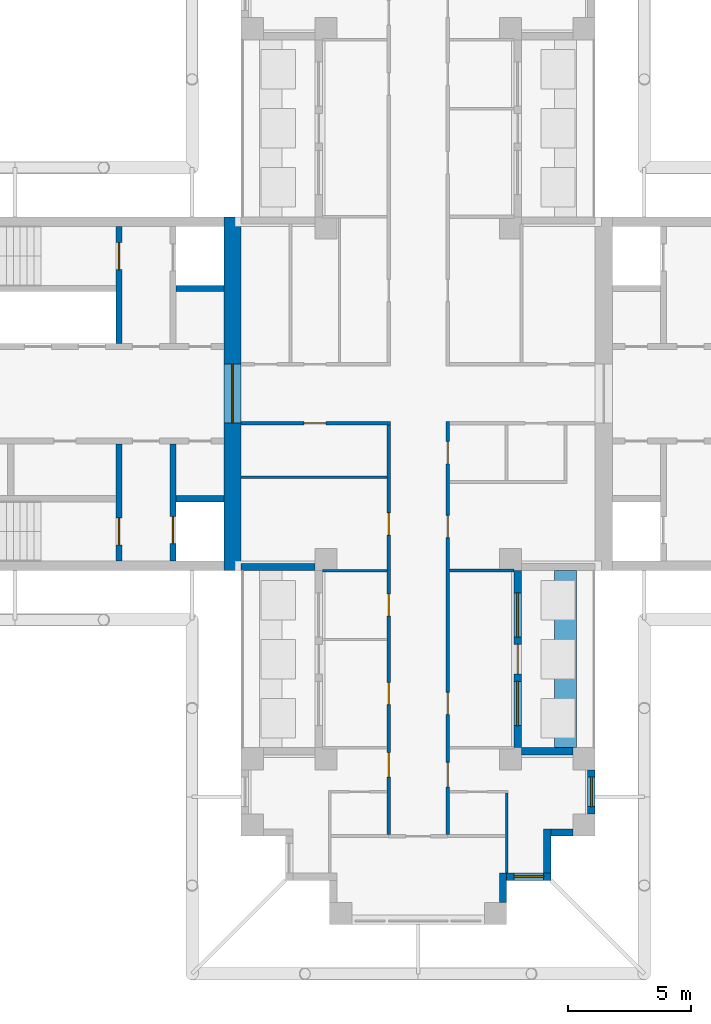
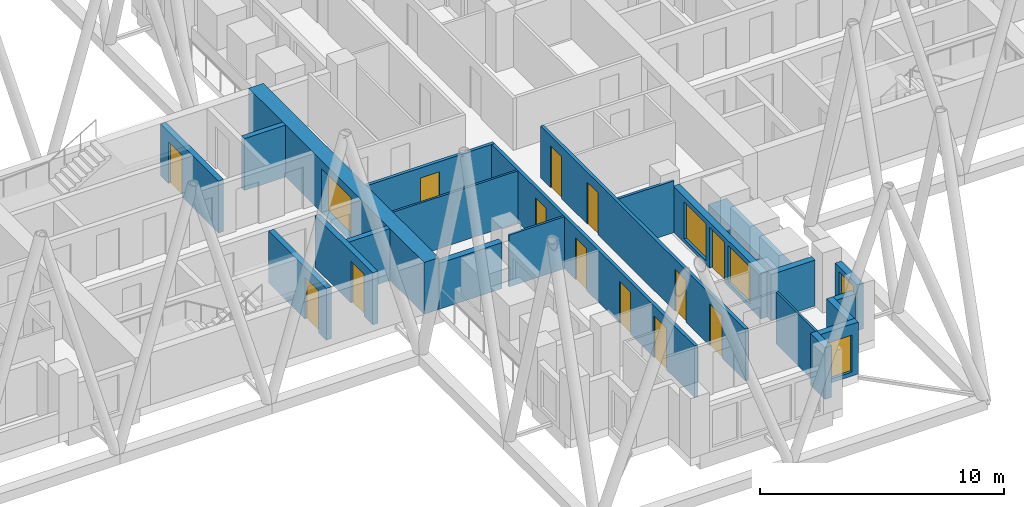
# One storey, part 5 of 11: 22 walls, 14 doors, 4 windows, 18 openings.
"""IFC4 building model written with IfcOpenShell, lengths in metres."""

from ifc_helpers import new_model, si_unit, direction, frame, frame_2d, origin, place, context, subcontext, project, spatial, rectangle, extrude, material, layer, layer_set, type_object, element, fill, save


model = new_model("IFC4")

# Units and contexts
model_context = context("Model", 3, precision=1e-05, world=origin(), true_north=direction((0.0, 1.0)))
body_context = subcontext(model_context, "Body", "Model", "MODEL_VIEW")
ifc_project = project(units=[si_unit("LENGTHUNIT", "METRE"), si_unit("AREAUNIT", "SQUARE_METRE"), si_unit("VOLUMEUNIT", "CUBIC_METRE"), si_unit("PLANEANGLEUNIT", "RADIAN"), si_unit("MASSUNIT", "GRAM", prefix="KILO")], contexts=[model_context])

# Site, building, storey
site_placement = place(None, origin())
site = spatial("IfcSite", under=ifc_project, at=site_placement, CompositionType="ELEMENT")
building_placement = place(site_placement, origin())
building = spatial("IfcBuilding", under=site, at=building_placement, Name="Fustian Cross Tower", CompositionType="ELEMENT")
storey_placement = place(building_placement, frame((0.0, 0.0, 198.89990234375)))
storey = spatial("IfcBuildingStorey", under=building, at=storey_placement, Name="L62", CompositionType="ELEMENT", Elevation=198.89990234375)

# Wall, opening, door
ifc_material_1 = material(Name="Plasterboard on steel stud", Category="steel")
ifc_layer_1 = layer(ifc_material_1, 0.14990234375)
ifc_layer_set_1 = layer_set([ifc_layer_1], Name="Plasterboard on steel stud")
wall_type_1 = type_object("IfcWallType", Name="COMPARTMENT WALL 150 EI 60", PredefinedType="PARTITIONING", material=ifc_layer_set_1)
wall_1_placement = place(storey_placement, frame((-7.199951171875, -1.199951171875, 0.0), z_axis=(0.0, 0.0, 1.0), x_axis=(1.0, 0.0, 0.0)))
wall_1 = element("IfcWall", 1, at=wall_1_placement, inside=storey, type_object=wall_type_1, Name="Partition 11", PredefinedType="PARTITIONING", context=body_context, shape_type="SweptSolid", body=[
    extrude(rectangle(XDim=6.074951171875, YDim=0.14990234375, at=frame_2d((3.03759765625, 0.0))), origin(), (0.0, 0.0, 1.0), 2.60009765625),
])
opening_1_placement = place(wall_1_placement, frame((2.550048828125, 0.0, 0.0)))
opening_1 = element("IfcOpeningElement", 2, at=opening_1_placement, cuts=wall_1, Name="Opening D29009", PredefinedType="OPENING", context=body_context, shape_type="SweptSolid", body=[
    extrude(rectangle(XDim=0.89990234375, YDim=2.10009765625, at=frame_2d((0.449951171875, 1.050048828125))), frame((0.0, 0.0849609375, 0.0), z_axis=(0.0, -1.0, 0.0), x_axis=(1.0, 0.0, 0.0)), (0.0, 0.0, 1.0), 0.169921875),
])
ifc_material_2 = material(Name="Timber fire door set", Category="wood")
door_type_1 = type_object("IfcDoorType", Name="FIRE SWING DOOR 900 FD30S", OperationType="SINGLE_SWING_LEFT", PredefinedType="DOOR", material=ifc_material_2)
door_1_placement = place(opening_1_placement, frame((0.89990234375, 0.0, 0.0), z_axis=(0.0, 0.0, 1.0), x_axis=(-1.0, 0.0, 0.0)))
door_1 = element("IfcDoor", 3, at=door_1_placement, inside=storey, type_object=door_type_1, Name="Door D29009", OperationType="SINGLE_SWING_RIGHT", OverallHeight=2.10009765625, OverallWidth=0.89990234375, PredefinedType="DOOR", context=body_context, shape_type="SweptSolid", body=[
    extrude(rectangle(XDim=0.89990234375, YDim=2.10009765625, at=frame_2d((0.449951171875, 1.050048828125))), frame((0.0, 0.02490234375, 0.0), z_axis=(0.0, -1.0, 0.0), x_axis=(1.0, 0.0, 0.0)), (0.0, 0.0, 1.0), 0.050048828125),
])
fill(opening_1, door_1)

# Wall, openings, doors
wall_2_placement = place(storey_placement, frame((-1.199951171875, -17.925048828125, 0.0), z_axis=(0.0, 0.0, 1.0), x_axis=(0.0, 1.0, 0.0)))
wall_2 = element("IfcWall", 4, at=wall_2_placement, inside=storey, type_object=wall_type_1, Name="Partition 26", PredefinedType="PARTITIONING", context=body_context, shape_type="SweptSolid", body=[
    extrude(rectangle(XDim=16.650146484375, YDim=0.14990234375, at=frame_2d((8.3251953125, 0.0))), origin(), (0.0, 0.0, 1.0), 2.60009765625),
])
opening_2_placement = place(wall_2_placement, frame((12.175048828125, 0.0, 0.0)))
opening_2 = element("IfcOpeningElement", 5, at=opening_2_placement, cuts=wall_2, Name="Opening D29010", PredefinedType="OPENING", context=body_context, shape_type="SweptSolid", body=[
    extrude(rectangle(XDim=0.89990234375, YDim=2.10009765625, at=frame_2d((0.449951171875, 1.050048828125))), frame((0.0, 0.0849609375, 0.0), z_axis=(0.0, -1.0, 0.0), x_axis=(1.0, 0.0, 0.0)), (0.0, 0.0, 1.0), 0.169921875),
])
opening_3_placement = place(wall_2_placement, frame((8.875, 0.0, 0.0)))
opening_3 = element("IfcOpeningElement", 6, at=opening_3_placement, cuts=wall_2, Name="Opening D29030", PredefinedType="OPENING", context=body_context, shape_type="SweptSolid", body=[
    extrude(rectangle(XDim=0.89990234375, YDim=2.10009765625, at=frame_2d((0.449951171875, 1.050048828125))), frame((0.0, 0.0849609375, 0.0), z_axis=(0.0, -1.0, 0.0), x_axis=(1.0, 0.0, 0.0)), (0.0, 0.0, 1.0), 0.169921875),
])
opening_4_placement = place(wall_2_placement, frame((5.27490234375, 0.0, 0.0)))
opening_4 = element("IfcOpeningElement", 7, at=opening_4_placement, cuts=wall_2, Name="Opening D29031", PredefinedType="OPENING", context=body_context, shape_type="SweptSolid", body=[
    extrude(rectangle(XDim=0.89990234375, YDim=2.10009765625, at=frame_2d((0.449951171875, 1.050048828125))), frame((0.0, 0.0849609375, 0.0), z_axis=(0.0, -1.0, 0.0), x_axis=(1.0, 0.0, 0.0)), (0.0, 0.0, 1.0), 0.169921875),
])
opening_5_placement = place(wall_2_placement, frame((2.324951171875, 0.0, 0.0)))
opening_5 = element("IfcOpeningElement", 8, at=opening_5_placement, cuts=wall_2, Name="Opening D29033", PredefinedType="OPENING", context=body_context, shape_type="SweptSolid", body=[
    extrude(rectangle(XDim=1.0, YDim=2.10009765625, at=frame_2d((0.5, 1.050048828125))), frame((0.0, 0.0849609375, 0.0), z_axis=(0.0, -1.0, 0.0), x_axis=(1.0, 0.0, 0.0)), (0.0, 0.0, 1.0), 0.169921875),
])
ifc_material_3 = material(Name="Timber fire door set", Category="wood")
door_type_2 = type_object("IfcDoorType", Name="FIRE SWING DOOR 1000 FD30S", OperationType="SINGLE_SWING_LEFT", PredefinedType="DOOR", material=ifc_material_3)
door_2_placement = place(opening_5_placement, origin())
door_2 = element("IfcDoor", 9, at=door_2_placement, inside=storey, type_object=door_type_2, Name="Door D29033", OperationType="SINGLE_SWING_RIGHT", OverallHeight=2.10009765625, OverallWidth=1.0, PredefinedType="DOOR", context=body_context, shape_type="SweptSolid", body=[
    extrude(rectangle(XDim=1.0, YDim=2.10009765625, at=frame_2d((0.5, 1.050048828125))), frame((0.0, 0.02490234375, 0.0), z_axis=(0.0, -1.0, 0.0), x_axis=(1.0, 0.0, 0.0)), (0.0, 0.0, 1.0), 0.050048828125),
])
fill(opening_5, door_2)
door_3_placement = place(opening_2_placement, origin())
door_3 = element("IfcDoor", 10, at=door_3_placement, inside=storey, type_object=door_type_1, Name="Door D29010", OperationType="SINGLE_SWING_RIGHT", OverallHeight=2.10009765625, OverallWidth=0.89990234375, PredefinedType="DOOR", context=body_context, shape_type="SweptSolid", body=[
    extrude(rectangle(XDim=0.89990234375, YDim=2.10009765625, at=frame_2d((0.449951171875, 1.050048828125))), frame((0.0, 0.02490234375, 0.0), z_axis=(0.0, -1.0, 0.0), x_axis=(1.0, 0.0, 0.0)), (0.0, 0.0, 1.0), 0.050048828125),
])
fill(opening_2, door_3)
door_4_placement = place(opening_3_placement, origin())
door_4 = element("IfcDoor", 11, at=door_4_placement, inside=storey, type_object=door_type_1, Name="Door D29030", OperationType="SINGLE_SWING_LEFT", OverallHeight=2.10009765625, OverallWidth=0.89990234375, PredefinedType="DOOR", context=body_context, shape_type="SweptSolid", body=[
    extrude(rectangle(XDim=0.89990234375, YDim=2.10009765625, at=frame_2d((0.449951171875, 1.050048828125))), frame((0.0, 0.02490234375, 0.0), z_axis=(0.0, -1.0, 0.0), x_axis=(1.0, 0.0, 0.0)), (0.0, 0.0, 1.0), 0.050048828125),
])
fill(opening_3, door_4)
door_5_placement = place(opening_4_placement, origin())
door_5 = element("IfcDoor", 12, at=door_5_placement, inside=storey, type_object=door_type_1, Name="Door D29031", OperationType="SINGLE_SWING_LEFT", OverallHeight=2.10009765625, OverallWidth=0.89990234375, PredefinedType="DOOR", context=body_context, shape_type="SweptSolid", body=[
    extrude(rectangle(XDim=0.89990234375, YDim=2.10009765625, at=frame_2d((0.449951171875, 1.050048828125))), frame((0.0, 0.02490234375, 0.0), z_axis=(0.0, -1.0, 0.0), x_axis=(1.0, 0.0, 0.0)), (0.0, 0.0, 1.0), 0.050048828125),
])
fill(opening_4, door_5)

wall_3_placement = place(storey_placement, frame((1.199951171875, -17.925048828125, 0.0), z_axis=(0.0, 0.0, 1.0), x_axis=(0.0, 1.0, 0.0)))
wall_3 = element("IfcWall", 13, at=wall_3_placement, inside=storey, type_object=wall_type_1, Name="Partition 30", PredefinedType="PARTITIONING", context=body_context, shape_type="SweptSolid", body=[
    extrude(rectangle(XDim=16.800048828125, YDim=0.14990234375, at=frame_2d((8.39990234375, 0.0))), origin(), (0.0, 0.0, 1.0), 2.60009765625),
])
opening_6_placement = place(wall_3_placement, frame((15.074951171875, 0.0, 0.0)))
opening_6 = element("IfcOpeningElement", 14, at=opening_6_placement, cuts=wall_3, Name="Opening D29006", PredefinedType="OPENING", context=body_context, shape_type="SweptSolid", body=[
    extrude(rectangle(XDim=0.89990234375, YDim=2.10009765625, at=frame_2d((0.449951171875, 1.050048828125))), frame((0.0, 0.0849609375, 0.0), z_axis=(0.0, -1.0, 0.0), x_axis=(1.0, 0.0, 0.0)), (0.0, 0.0, 1.0), 0.169921875),
])
opening_7_placement = place(wall_3_placement, frame((12.074951171875, 0.0, 0.0)))
opening_7 = element("IfcOpeningElement", 15, at=opening_7_placement, cuts=wall_3, Name="Opening D29008", PredefinedType="OPENING", context=body_context, shape_type="SweptSolid", body=[
    extrude(rectangle(XDim=0.89990234375, YDim=2.10009765625, at=frame_2d((0.449951171875, 1.050048828125))), frame((0.0, 0.0849609375, 0.0), z_axis=(0.0, -1.0, 0.0), x_axis=(1.0, 0.0, 0.0)), (0.0, 0.0, 1.0), 0.169921875),
])
opening_8_placement = place(wall_3_placement, frame((4.875, 0.0, 0.0)))
opening_8 = element("IfcOpeningElement", 16, at=opening_8_placement, cuts=wall_3, Name="Opening D29027", PredefinedType="OPENING", context=body_context, shape_type="SweptSolid", body=[
    extrude(rectangle(XDim=0.89990234375, YDim=2.10009765625, at=frame_2d((0.449951171875, 1.050048828125))), frame((0.0, 0.0849609375, 0.0), z_axis=(0.0, -1.0, 0.0), x_axis=(1.0, 0.0, 0.0)), (0.0, 0.0, 1.0), 0.169921875),
])
opening_9_placement = place(wall_3_placement, frame((1.925048828125, 0.0, 0.0)))
opening_9 = element("IfcOpeningElement", 17, at=opening_9_placement, cuts=wall_3, Name="Opening D29029", PredefinedType="OPENING", context=body_context, shape_type="SweptSolid", body=[
    extrude(rectangle(XDim=1.0, YDim=2.10009765625, at=frame_2d((0.5, 1.050048828125))), frame((0.0, 0.0849609375, 0.0), z_axis=(0.0, -1.0, 0.0), x_axis=(1.0, 0.0, 0.0)), (0.0, 0.0, 1.0), 0.169921875),
])
door_6_placement = place(opening_9_placement, frame((1.0, 0.0, 0.0), z_axis=(0.0, 0.0, 1.0), x_axis=(-1.0, 0.0, 0.0)))
door_6 = element("IfcDoor", 18, at=door_6_placement, inside=storey, type_object=door_type_2, Name="Door D29029", OperationType="SINGLE_SWING_RIGHT", OverallHeight=2.10009765625, OverallWidth=1.0, PredefinedType="DOOR", context=body_context, shape_type="SweptSolid", body=[
    extrude(rectangle(XDim=1.0, YDim=2.10009765625, at=frame_2d((0.5, 1.050048828125))), frame((0.0, 0.02490234375, 0.0), z_axis=(0.0, -1.0, 0.0), x_axis=(1.0, 0.0, 0.0)), (0.0, 0.0, 1.0), 0.050048828125),
])
fill(opening_9, door_6)
door_7_placement = place(opening_6_placement, frame((0.89990234375, 0.0, 0.0), z_axis=(0.0, 0.0, 1.0), x_axis=(-1.0, 0.0, 0.0)))
door_7 = element("IfcDoor", 19, at=door_7_placement, inside=storey, type_object=door_type_1, Name="Door D29006", OperationType="SINGLE_SWING_RIGHT", OverallHeight=2.10009765625, OverallWidth=0.89990234375, PredefinedType="DOOR", context=body_context, shape_type="SweptSolid", body=[
    extrude(rectangle(XDim=0.89990234375, YDim=2.10009765625, at=frame_2d((0.449951171875, 1.050048828125))), frame((0.0, 0.02490234375, 0.0), z_axis=(0.0, -1.0, 0.0), x_axis=(1.0, 0.0, 0.0)), (0.0, 0.0, 1.0), 0.050048828125),
])
fill(opening_6, door_7)
door_8_placement = place(opening_7_placement, frame((0.89990234375, 0.0, 0.0), z_axis=(0.0, 0.0, 1.0), x_axis=(-1.0, 0.0, 0.0)))
door_8 = element("IfcDoor", 20, at=door_8_placement, inside=storey, type_object=door_type_1, Name="Door D29008", OperationType="SINGLE_SWING_RIGHT", OverallHeight=2.10009765625, OverallWidth=0.89990234375, PredefinedType="DOOR", context=body_context, shape_type="SweptSolid", body=[
    extrude(rectangle(XDim=0.89990234375, YDim=2.10009765625, at=frame_2d((0.449951171875, 1.050048828125))), frame((0.0, 0.02490234375, 0.0), z_axis=(0.0, -1.0, 0.0), x_axis=(1.0, 0.0, 0.0)), (0.0, 0.0, 1.0), 0.050048828125),
])
fill(opening_7, door_8)
door_9_placement = place(opening_8_placement, frame((0.89990234375, 0.0, 0.0), z_axis=(0.0, 0.0, 1.0), x_axis=(-1.0, 0.0, 0.0)))
door_9 = element("IfcDoor", 21, at=door_9_placement, inside=storey, type_object=door_type_1, Name="Door D29027", OperationType="SINGLE_SWING_RIGHT", OverallHeight=2.10009765625, OverallWidth=0.89990234375, PredefinedType="DOOR", context=body_context, shape_type="SweptSolid", body=[
    extrude(rectangle(XDim=0.89990234375, YDim=2.10009765625, at=frame_2d((0.449951171875, 1.050048828125))), frame((0.0, 0.02490234375, 0.0), z_axis=(0.0, -1.0, 0.0), x_axis=(1.0, 0.0, 0.0)), (0.0, 0.0, 1.0), 0.050048828125),
])
fill(opening_8, door_9)

# Wall, opening, door
ifc_material_4 = material(Name="Concrete C50/60", Category="concrete")
ifc_layer_2 = layer(ifc_material_4, 0.699951171875)
ifc_layer_set_2 = layer_set([ifc_layer_2], Name="Concrete C50/60")
wall_type_2 = type_object("IfcWallType", Name="CORE END WALL 700 C50/60", PredefinedType="SHEAR", material=ifc_layer_set_2)
wall_4_placement = place(storey_placement, frame((-7.550048828125, -7.199951171875, 0.0), z_axis=(0.0, 0.0, 1.0), x_axis=(0.0, 1.0, 0.0)))
wall_4 = element("IfcWall", 22, at=wall_4_placement, inside=storey, type_object=wall_type_2, Name="Core end wall", PredefinedType="SHEAR", context=body_context, shape_type="SweptSolid", body=[
    extrude(rectangle(XDim=14.39990234375, YDim=0.699951171875, at=frame_2d((7.199951171875, 0.0))), origin(), (0.0, 0.0, 1.0), 2.60009765625),
])
opening_10_placement = place(wall_4_placement, frame((6.0, 0.0, 0.0)))
opening_10 = element("IfcOpeningElement", 23, at=opening_10_placement, cuts=wall_4, Name="Opening CD-27-28", PredefinedType="OPENING", context=body_context, shape_type="SweptSolid", body=[
    extrude(rectangle(XDim=2.39990234375, YDim=2.199951171875, at=frame_2d((1.199951171875, 1.10009765625))), frame((0.0, 0.35986328125, 0.0), z_axis=(0.0, -1.0, 0.0), x_axis=(1.0, 0.0, 0.0)), (0.0, 0.0, 1.0), 0.719970703125),
])
ifc_material_5 = material(Name="Steel", Category="steel")
door_type_3 = type_object("IfcDoorType", Name="FIRE DOOR FD30S DOUBLE 2400X2200", OperationType="DOUBLE_DOOR_DOUBLE_SWING", PredefinedType="DOOR", material=ifc_material_5)
door_10_placement = place(opening_10_placement, origin())
door_10 = element("IfcDoor", 24, at=door_10_placement, inside=storey, type_object=door_type_3, Name="Core door CD-27-28", OperationType="DOUBLE_DOOR_DOUBLE_SWING", OverallHeight=2.199951171875, OverallWidth=2.39990234375, PredefinedType="DOOR", context=body_context, shape_type="SweptSolid", body=[
    extrude(rectangle(XDim=2.39990234375, YDim=2.199951171875, at=frame_2d((1.199951171875, 1.10009765625))), frame((0.0, 0.02490234375, 0.0), z_axis=(0.0, -1.0, 0.0), x_axis=(1.0, 0.0, 0.0)), (0.0, 0.0, 1.0), 0.050048828125),
])
fill(opening_10, door_10)

# Wall
ifc_material_6 = material(Name="Concrete C50/60", Category="concrete")
ifc_layer_3 = layer(ifc_material_6, 0.25)
ifc_layer_set_3 = layer_set([ifc_layer_3], Name="Concrete C50/60")
wall_type_3 = type_object("IfcWallType", Name="CORE SHAFT WALL 250 C50/60", PredefinedType="SHEAR", material=ifc_layer_set_3)
wall_5_placement = place(storey_placement, frame((-7.89990234375, 4.27490234375, 0.0), z_axis=(0.0, 0.0, 1.0), x_axis=(-1.0, 0.0, 0.0)))
element("IfcWall", 25, at=wall_5_placement, inside=storey, type_object=wall_type_3, Name="Core shaft wall", PredefinedType="SHEAR", context=body_context, shape_type="SweptSolid", body=[
    extrude(rectangle(XDim=1.9501953125, YDim=0.25, at=frame_2d((0.97509765625, 0.0))), origin(), (0.0, 0.0, 1.0), 2.60009765625),
])

# Wall, opening, door
wall_6_placement = place(storey_placement, frame((-12.175048828125, 2.050048828125, 0.0), z_axis=(0.0, 0.0, 1.0), x_axis=(0.0, 1.0, 0.0)))
wall_6 = element("IfcWall", 26, at=wall_6_placement, inside=storey, type_object=wall_type_3, Name="Core shaft wall", PredefinedType="SHEAR", context=body_context, shape_type="SweptSolid", body=[
    extrude(rectangle(XDim=4.75, YDim=0.25, at=frame_2d((2.375, 0.0))), origin(), (0.0, 0.0, 1.0), 2.60009765625),
])
opening_11_placement = place(wall_6_placement, frame((3.0, 0.0, 0.0)))
opening_11 = element("IfcOpeningElement", 27, at=opening_11_placement, cuts=wall_6, Name="Opening CD-27-22", PredefinedType="OPENING", context=body_context, shape_type="SweptSolid", body=[
    extrude(rectangle(XDim=1.10009765625, YDim=2.10009765625, at=frame_2d((0.550048828125, 1.050048828125))), frame((0.0, 0.135009765625, 0.0), z_axis=(0.0, -1.0, 0.0), x_axis=(1.0, 0.0, 0.0)), (0.0, 0.0, 1.0), 0.27001953125),
])
ifc_material_7 = material(Name="Steel", Category="steel")
door_type_4 = type_object("IfcDoorType", Name="FIRE DOOR FD60S 1100X2100", OperationType="SINGLE_SWING_LEFT", PredefinedType="DOOR", material=ifc_material_7)
door_11_placement = place(opening_11_placement, origin())
door_11 = element("IfcDoor", 28, at=door_11_placement, inside=storey, type_object=door_type_4, Name="Core door CD-27-22", OperationType="SINGLE_SWING_LEFT", OverallHeight=2.10009765625, OverallWidth=1.10009765625, PredefinedType="DOOR", context=body_context, shape_type="SweptSolid", body=[
    extrude(rectangle(XDim=1.10009765625, YDim=2.10009765625, at=frame_2d((0.550048828125, 1.050048828125))), frame((0.0, 0.02490234375, 0.0), z_axis=(0.0, -1.0, 0.0), x_axis=(1.0, 0.0, 0.0)), (0.0, 0.0, 1.0), 0.050048828125),
])
fill(opening_11, door_11)

# Wall
wall_7_placement = place(storey_placement, frame((-7.89990234375, -4.27490234375, 0.0), z_axis=(0.0, 0.0, 1.0), x_axis=(-1.0, 0.0, 0.0)))
element("IfcWall", 29, at=wall_7_placement, inside=storey, type_object=wall_type_3, Name="Core shaft wall", PredefinedType="SHEAR", context=body_context, shape_type="SweptSolid", body=[
    extrude(rectangle(XDim=1.9501953125, YDim=0.25, at=frame_2d((0.97509765625, 0.0))), origin(), (0.0, 0.0, 1.0), 2.60009765625),
])

# Wall, opening, door
wall_8_placement = place(storey_placement, frame((-9.97509765625, -2.050048828125, 0.0), z_axis=(0.0, 0.0, 1.0), x_axis=(0.0, -1.0, 0.0)))
wall_8 = element("IfcWall", 30, at=wall_8_placement, inside=storey, type_object=wall_type_3, Name="Core shaft wall", PredefinedType="SHEAR", context=body_context, shape_type="SweptSolid", body=[
    extrude(rectangle(XDim=4.75, YDim=0.25, at=frame_2d((2.375, 0.0))), origin(), (0.0, 0.0, 1.0), 2.60009765625),
])
opening_12_placement = place(wall_8_placement, frame((2.949951171875, 0.0, 0.0)))
opening_12 = element("IfcOpeningElement", 31, at=opening_12_placement, cuts=wall_8, Name="Opening LD", PredefinedType="OPENING", context=body_context, shape_type="SweptSolid", body=[
    extrude(rectangle(XDim=1.10009765625, YDim=2.10009765625, at=frame_2d((0.550048828125, 1.050048828125))), frame((0.0, 0.135009765625, 0.0), z_axis=(0.0, -1.0, 0.0), x_axis=(1.0, 0.0, 0.0)), (0.0, 0.0, 1.0), 0.27001953125),
])
ifc_material_8 = material(Name="Stainless steel", Category="steel")
door_type_5 = type_object("IfcDoorType", Name="LIFT LANDING DOOR 1100X2100", OperationType="SLIDING_TO_LEFT", PredefinedType="DOOR", material=ifc_material_8)
door_12_placement = place(opening_12_placement, origin())
door_12 = element("IfcDoor", 32, at=door_12_placement, inside=storey, type_object=door_type_5, Name="Landing door SV1W", OperationType="SLIDING_TO_LEFT", OverallHeight=2.10009765625, OverallWidth=1.10009765625, PredefinedType="DOOR", context=body_context, shape_type="SweptSolid", body=[
    extrude(rectangle(XDim=1.10009765625, YDim=2.10009765625, at=frame_2d((0.550048828125, 1.050048828125))), frame((0.0, 0.02490234375, 0.0), z_axis=(0.0, -1.0, 0.0), x_axis=(1.0, 0.0, 0.0)), (0.0, 0.0, 1.0), 0.050048828125),
])
fill(opening_12, door_12)

wall_9_placement = place(storey_placement, frame((-12.175048828125, -2.050048828125, 0.0), z_axis=(0.0, 0.0, 1.0), x_axis=(0.0, -1.0, 0.0)))
wall_9 = element("IfcWall", 33, at=wall_9_placement, inside=storey, type_object=wall_type_3, Name="Core shaft wall", PredefinedType="SHEAR", context=body_context, shape_type="SweptSolid", body=[
    extrude(rectangle(XDim=4.75, YDim=0.25, at=frame_2d((2.375, 0.0))), origin(), (0.0, 0.0, 1.0), 2.60009765625),
])
opening_13_placement = place(wall_9_placement, frame((3.0, 0.0, 0.0)))
opening_13 = element("IfcOpeningElement", 34, at=opening_13_placement, cuts=wall_9, Name="Opening CD-27-23", PredefinedType="OPENING", context=body_context, shape_type="SweptSolid", body=[
    extrude(rectangle(XDim=1.10009765625, YDim=2.10009765625, at=frame_2d((0.550048828125, 1.050048828125))), frame((0.0, 0.135009765625, 0.0), z_axis=(0.0, -1.0, 0.0), x_axis=(1.0, 0.0, 0.0)), (0.0, 0.0, 1.0), 0.27001953125),
])
door_13_placement = place(opening_13_placement, frame((1.10009765625, 0.0, 0.0), z_axis=(0.0, 0.0, 1.0), x_axis=(-1.0, 0.0, 0.0)))
door_13 = element("IfcDoor", 35, at=door_13_placement, inside=storey, type_object=door_type_4, Name="Core door CD-27-23", OperationType="SINGLE_SWING_RIGHT", OverallHeight=2.10009765625, OverallWidth=1.10009765625, PredefinedType="DOOR", context=body_context, shape_type="SweptSolid", body=[
    extrude(rectangle(XDim=1.10009765625, YDim=2.10009765625, at=frame_2d((0.550048828125, 1.050048828125))), frame((0.0, 0.02490234375, 0.0), z_axis=(0.0, -1.0, 0.0), x_axis=(1.0, 0.0, 0.0)), (0.0, 0.0, 1.0), 0.050048828125),
])
fill(opening_13, door_13)

# Walls
ifc_material_9 = material(Name="Plasterboard on steel stud", Category="steel")
ifc_layer_4 = layer(ifc_material_9, 0.10009765625)
ifc_layer_set_4 = layer_set([ifc_layer_4], Name="Plasterboard on steel stud")
wall_type_4 = type_object("IfcWallType", Name="PARTITION 100 STUD", PredefinedType="PARTITIONING", material=ifc_layer_set_4)
wall_10_placement = place(storey_placement, frame((-7.199951171875, -3.39990234375, 0.0), z_axis=(0.0, 0.0, 1.0), x_axis=(1.0, 0.0, 0.0)))
element("IfcWall", 36, at=wall_10_placement, inside=storey, type_object=wall_type_4, Name="Partition 10", PredefinedType="PARTITIONING", context=body_context, shape_type="SweptSolid", body=[
    extrude(rectangle(XDim=5.925048828125, YDim=0.10009765625, at=frame_2d((2.96240234375, 0.0))), origin(), (0.0, 0.0, 1.0), 2.60009765625),
])
wall_11_placement = place(storey_placement, frame((-3.89990234375, -7.199951171875, 0.0), z_axis=(0.0, 0.0, 1.0), x_axis=(1.0, 0.0, 0.0)))
element("IfcWall", 37, at=wall_11_placement, inside=storey, type_object=wall_type_4, Name="Partition 16", PredefinedType="PARTITIONING", context=body_context, shape_type="SweptSolid", body=[
    extrude(rectangle(XDim=2.625, YDim=0.10009765625, at=frame_2d((1.3125, 0.0))), origin(), (0.0, 0.0, 1.0), 2.60009765625),
])
wall_12_placement = place(storey_placement, frame((3.60009765625, -19.5, 0.0), z_axis=(0.0, 0.0, 1.0), x_axis=(0.0, 1.0, 0.0)))
element("IfcWall", 38, at=wall_12_placement, inside=storey, type_object=wall_type_4, Name="Partition 43", PredefinedType="PARTITIONING", context=body_context, shape_type="SweptSolid", body=[
    extrude(rectangle(XDim=3.25, YDim=0.10009765625, at=frame_2d((1.625, 0.0))), origin(), (0.0, 0.0, 1.0), 2.60009765625),
])
ifc_material_10 = material(Name="Concrete C40/50", Category="concrete")
ifc_layer_5 = layer(ifc_material_10, 0.89990234375)
ifc_layer_set_5 = layer_set([ifc_layer_5], Name="Concrete C40/50")
wall_type_5 = type_object("IfcWallType", Name="PK1 PLANTER 900", PredefinedType="PARAPET", material=ifc_layer_set_5)
wall_13_placement = place(storey_placement, frame((6.0, -14.39990234375, 0.0), z_axis=(0.0, 0.0, 1.0), x_axis=(0.0, 1.0, 0.0)))
element("IfcWall", 39, at=wall_13_placement, inside=storey, type_object=wall_type_5, Name="PLANTER", PredefinedType="PARAPET", context=body_context, shape_type="SweptSolid", body=[
    extrude(rectangle(XDim=7.199951171875, YDim=0.89990234375, at=frame_2d((3.60009765625, 0.0))), origin(), (0.0, 0.0, 1.0), 0.800048828125),
])
ifc_material_11 = material(Name="Plasterboard on steel stud", Category="steel")
ifc_layer_6 = layer(ifc_material_11, 0.125)
ifc_layer_set_6 = layer_set([ifc_layer_6], Name="Plasterboard on steel stud")
wall_type_6 = type_object("IfcWallType", Name="WET WALL 125 STUD", PredefinedType="PARTITIONING", material=ifc_layer_set_6)
wall_14_placement = place(storey_placement, frame((1.27490234375, -7.199951171875, 0.0), z_axis=(0.0, 0.0, 1.0), x_axis=(1.0, 0.0, 0.0)))
element("IfcWall", 40, at=wall_14_placement, inside=storey, type_object=wall_type_6, Name="Partition 34", PredefinedType="PARTITIONING", context=body_context, shape_type="SweptSolid", body=[
    extrude(rectangle(XDim=2.625, YDim=0.125, at=frame_2d((1.3125, 0.0))), origin(), (0.0, 0.0, 1.0), 2.60009765625),
])
ifc_material_12 = material(Name="Dark aluminium cladding on insulated backing wall", Category="aluminium")
ifc_layer_7 = layer(ifc_material_12, 0.300048828125)
ifc_layer_set_7 = layer_set([ifc_layer_7], Name="Dark aluminium cladding on insulated backing wall")
wall_type_7 = type_object("IfcWallType", Name="XW1 EXTERNAL WALL 300", PredefinedType="SOLIDWALL", material=ifc_layer_set_7)
wall_15_placement = place(storey_placement, frame((-7.199951171875, -7.050048828125, 0.0), z_axis=(0.0, 0.0, 1.0), x_axis=(1.0, 0.0, 0.0)))
element("IfcWall", 41, at=wall_15_placement, inside=storey, type_object=wall_type_7, Name="External wall", PredefinedType="SOLIDWALL", context=body_context, shape_type="SweptSolid", body=[
    extrude(rectangle(XDim=3.0, YDim=0.300048828125, at=frame_2d((1.5, 0.0))), origin(), (0.0, 0.0, 1.0), 2.300048828125),
])
wall_16_placement = place(storey_placement, frame((3.449951171875, -20.699951171875, 0.0), z_axis=(0.0, 0.0, 1.0), x_axis=(0.0, 1.0, 0.0)))
element("IfcWall", 42, at=wall_16_placement, inside=storey, type_object=wall_type_7, Name="External wall", PredefinedType="SOLIDWALL", context=body_context, shape_type="SweptSolid", body=[
    extrude(rectangle(XDim=1.199951171875, YDim=0.300048828125, at=frame_2d((0.60009765625, 0.0))), origin(), (0.0, 0.0, 1.0), 2.60009765625),
])

# Wall, opening, window
wall_17_placement = place(storey_placement, frame((3.60009765625, -19.64990234375, 0.0), z_axis=(0.0, 0.0, 1.0), x_axis=(1.0, 0.0, 0.0)))
wall_17 = element("IfcWall", 43, at=wall_17_placement, inside=storey, type_object=wall_type_7, Name="External wall", PredefinedType="SOLIDWALL", context=body_context, shape_type="SweptSolid", body=[
    extrude(rectangle(XDim=1.7998046875, YDim=0.300048828125, at=frame_2d((0.89990234375, 0.0))), origin(), (0.0, 0.0, 1.0), 2.60009765625),
])
opening_14_placement = place(wall_17_placement, frame((0.300048828125, 0.0, 0.199951171875)))
opening_14 = element("IfcOpeningElement", 44, at=opening_14_placement, cuts=wall_17, Name="Opening WN3", PredefinedType="OPENING", context=body_context, shape_type="SweptSolid", body=[
    extrude(rectangle(XDim=1.199951171875, YDim=1.85009765625, at=frame_2d((0.60009765625, 0.925048828125))), frame((0.0, 0.159912109375, 0.0), z_axis=(0.0, -1.0, 0.0), x_axis=(1.0, 0.0, 0.0)), (0.0, 0.0, 1.0), 0.320068359375),
])
ifc_material_13 = material(Name="Dark anodised aluminium and double glazing", Category="aluminium")
window_type_1 = type_object("IfcWindowType", Name="WN3 WINDOW 1200X1850", PartitioningType="SINGLE_PANEL", PredefinedType="WINDOW", material=ifc_material_13)
window_1_placement = place(opening_14_placement, origin())
window_1 = element("IfcWindow", 45, at=window_1_placement, inside=storey, type_object=window_type_1, Name="Window", OverallHeight=1.85009765625, OverallWidth=1.199951171875, PartitioningType="SINGLE_PANEL", PredefinedType="WINDOW", context=body_context, shape_type="SweptSolid", body=[
    extrude(rectangle(XDim=1.199951171875, YDim=1.85009765625, at=frame_2d((0.60009765625, 0.925048828125))), frame((0.0, 0.030029296875, 0.0), z_axis=(0.0, -1.0, 0.0), x_axis=(1.0, 0.0, 0.0)), (0.0, 0.0, 1.0), 0.06005859375),
])
fill(opening_14, window_1)

# Walls
wall_18_placement = place(storey_placement, frame((5.25, -19.5, 0.0), z_axis=(0.0, 0.0, 1.0), x_axis=(0.0, 1.0, 0.0)))
element("IfcWall", 46, at=wall_18_placement, inside=storey, type_object=wall_type_7, Name="External wall", PredefinedType="SOLIDWALL", context=body_context, shape_type="SweptSolid", body=[
    extrude(rectangle(XDim=1.800048828125, YDim=0.300048828125, at=frame_2d((0.89990234375, 0.0))), origin(), (0.0, 0.0, 1.0), 2.60009765625),
])
wall_19_placement = place(storey_placement, frame((5.39990234375, -17.85009765625, 0.0), z_axis=(0.0, 0.0, 1.0), x_axis=(1.0, 0.0, 0.0)))
element("IfcWall", 47, at=wall_19_placement, inside=storey, type_object=wall_type_7, Name="External wall", PredefinedType="SOLIDWALL", context=body_context, shape_type="SweptSolid", body=[
    extrude(rectangle(XDim=0.900146484375, YDim=0.300048828125, at=frame_2d((0.4501953125, 0.0))), origin(), (0.0, 0.0, 1.0), 2.60009765625),
])

# Wall, opening, window
wall_20_placement = place(storey_placement, frame((7.050048828125, -17.10009765625, 0.0), z_axis=(0.0, 0.0, 1.0), x_axis=(0.0, 1.0, 0.0)))
wall_20 = element("IfcWall", 48, at=wall_20_placement, inside=storey, type_object=wall_type_7, Name="External wall", PredefinedType="SOLIDWALL", context=body_context, shape_type="SweptSolid", body=[
    extrude(rectangle(XDim=1.800048828125, YDim=0.300048828125, at=frame_2d((0.89990234375, 0.0))), origin(), (0.0, 0.0, 1.0), 2.300048828125),
])
opening_15_placement = place(wall_20_placement, frame((0.300048828125, 0.0, 0.199951171875)))
opening_15 = element("IfcOpeningElement", 49, at=opening_15_placement, cuts=wall_20, Name="Opening WN3", PredefinedType="OPENING", context=body_context, shape_type="SweptSolid", body=[
    extrude(rectangle(XDim=1.199951171875, YDim=1.85009765625, at=frame_2d((0.60009765625, 0.925048828125))), frame((0.0, 0.159912109375, 0.0), z_axis=(0.0, -1.0, 0.0), x_axis=(1.0, 0.0, 0.0)), (0.0, 0.0, 1.0), 0.320068359375),
])
window_2_placement = place(opening_15_placement, origin())
window_2 = element("IfcWindow", 50, at=window_2_placement, inside=storey, type_object=window_type_1, Name="Window", OverallHeight=1.85009765625, OverallWidth=1.199951171875, PartitioningType="SINGLE_PANEL", PredefinedType="WINDOW", context=body_context, shape_type="SweptSolid", body=[
    extrude(rectangle(XDim=1.199951171875, YDim=1.85009765625, at=frame_2d((0.60009765625, 0.925048828125))), frame((0.0, 0.030029296875, 0.0), z_axis=(0.0, -1.0, 0.0), x_axis=(1.0, 0.0, 0.0)), (0.0, 0.0, 1.0), 0.06005859375),
])
fill(opening_15, window_2)

# Wall
wall_21_placement = place(storey_placement, frame((6.300048828125, -14.550048828125, 0.0), z_axis=(0.0, 0.0, 1.0), x_axis=(-1.0, 0.0, 0.0)))
element("IfcWall", 51, at=wall_21_placement, inside=storey, type_object=wall_type_7, Name="External wall", PredefinedType="SOLIDWALL", context=body_context, shape_type="SweptSolid", body=[
    extrude(rectangle(XDim=2.10009765625, YDim=0.300048828125, at=frame_2d((1.050048828125, 0.0))), origin(), (0.0, 0.0, 1.0), 2.300048828125),
])

# Wall, openings, door, windows
wall_22_placement = place(storey_placement, frame((4.050048828125, -14.39990234375, 0.0), z_axis=(0.0, 0.0, 1.0), x_axis=(0.0, 1.0, 0.0)))
wall_22 = element("IfcWall", 52, at=wall_22_placement, inside=storey, type_object=wall_type_7, Name="External wall", PredefinedType="SOLIDWALL", context=body_context, shape_type="SweptSolid", body=[
    extrude(rectangle(XDim=7.199951171875, YDim=0.300048828125, at=frame_2d((3.60009765625, 0.0))), origin(), (0.0, 0.0, 1.0), 2.300048828125),
])
opening_16_placement = place(wall_22_placement, frame((3.0, 0.0, 0.0)))
opening_16 = element("IfcOpeningElement", 53, at=opening_16_placement, cuts=wall_22, Name="Opening XD3", PredefinedType="OPENING", context=body_context, shape_type="SweptSolid", body=[
    extrude(rectangle(XDim=1.199951171875, YDim=2.050048828125, at=frame_2d((0.60009765625, 1.02490234375))), frame((0.0, 0.159912109375, 0.0), z_axis=(0.0, -1.0, 0.0), x_axis=(1.0, 0.0, 0.0)), (0.0, 0.0, 1.0), 0.320068359375),
])
opening_17_placement = place(wall_22_placement, frame((0.89990234375, 0.0, 0.199951171875)))
opening_17 = element("IfcOpeningElement", 54, at=opening_17_placement, cuts=wall_22, Name="Opening WN2", PredefinedType="OPENING", context=body_context, shape_type="SweptSolid", body=[
    extrude(rectangle(XDim=1.800048828125, YDim=1.85009765625, at=frame_2d((0.89990234375, 0.925048828125))), frame((0.0, 0.159912109375, 0.0), z_axis=(0.0, -1.0, 0.0), x_axis=(1.0, 0.0, 0.0)), (0.0, 0.0, 1.0), 0.320068359375),
])
opening_18_placement = place(wall_22_placement, frame((4.5, 0.0, 0.199951171875)))
opening_18 = element("IfcOpeningElement", 55, at=opening_18_placement, cuts=wall_22, Name="Opening WN2", PredefinedType="OPENING", context=body_context, shape_type="SweptSolid", body=[
    extrude(rectangle(XDim=1.800048828125, YDim=1.85009765625, at=frame_2d((0.89990234375, 0.925048828125))), frame((0.0, 0.159912109375, 0.0), z_axis=(0.0, -1.0, 0.0), x_axis=(1.0, 0.0, 0.0)), (0.0, 0.0, 1.0), 0.320068359375),
])
ifc_material_14 = material(Name="Dark anodised aluminium and double glazing", Category="aluminium")
door_type_6 = type_object("IfcDoorType", Name="ED1 BALCONY DOOR 1200X2050", OperationType="SINGLE_SWING_LEFT", PredefinedType="DOOR", material=ifc_material_14)
door_14_placement = place(opening_16_placement, origin())
door_14 = element("IfcDoor", 56, at=door_14_placement, inside=storey, type_object=door_type_6, Name="Balcony door", OperationType="SINGLE_SWING_LEFT", OverallHeight=2.050048828125, OverallWidth=1.199951171875, PredefinedType="DOOR", context=body_context, shape_type="SweptSolid", body=[
    extrude(rectangle(XDim=1.199951171875, YDim=2.050048828125, at=frame_2d((0.60009765625, 1.02490234375))), frame((0.0, 0.02490234375, 0.0), z_axis=(0.0, -1.0, 0.0), x_axis=(1.0, 0.0, 0.0)), (0.0, 0.0, 1.0), 0.050048828125),
])
fill(opening_16, door_14)
ifc_material_15 = material(Name="Dark anodised aluminium and double glazing", Category="aluminium")
window_type_2 = type_object("IfcWindowType", Name="WN2 WINDOW 1800X1850", PartitioningType="SINGLE_PANEL", PredefinedType="WINDOW", material=ifc_material_15)
window_3_placement = place(opening_17_placement, origin())
window_3 = element("IfcWindow", 57, at=window_3_placement, inside=storey, type_object=window_type_2, Name="Window", OverallHeight=1.85009765625, OverallWidth=1.800048828125, PartitioningType="SINGLE_PANEL", PredefinedType="WINDOW", context=body_context, shape_type="SweptSolid", body=[
    extrude(rectangle(XDim=1.800048828125, YDim=1.85009765625, at=frame_2d((0.89990234375, 0.925048828125))), frame((0.0, 0.030029296875, 0.0), z_axis=(0.0, -1.0, 0.0), x_axis=(1.0, 0.0, 0.0)), (0.0, 0.0, 1.0), 0.06005859375),
])
fill(opening_17, window_3)
window_4_placement = place(opening_18_placement, origin())
window_4 = element("IfcWindow", 58, at=window_4_placement, inside=storey, type_object=window_type_2, Name="Window", OverallHeight=1.85009765625, OverallWidth=1.800048828125, PartitioningType="SINGLE_PANEL", PredefinedType="WINDOW", context=body_context, shape_type="SweptSolid", body=[
    extrude(rectangle(XDim=1.800048828125, YDim=1.85009765625, at=frame_2d((0.89990234375, 0.925048828125))), frame((0.0, 0.030029296875, 0.0), z_axis=(0.0, -1.0, 0.0), x_axis=(1.0, 0.0, 0.0)), (0.0, 0.0, 1.0), 0.06005859375),
])
fill(opening_18, window_4)

save(model, "model.ifc")
